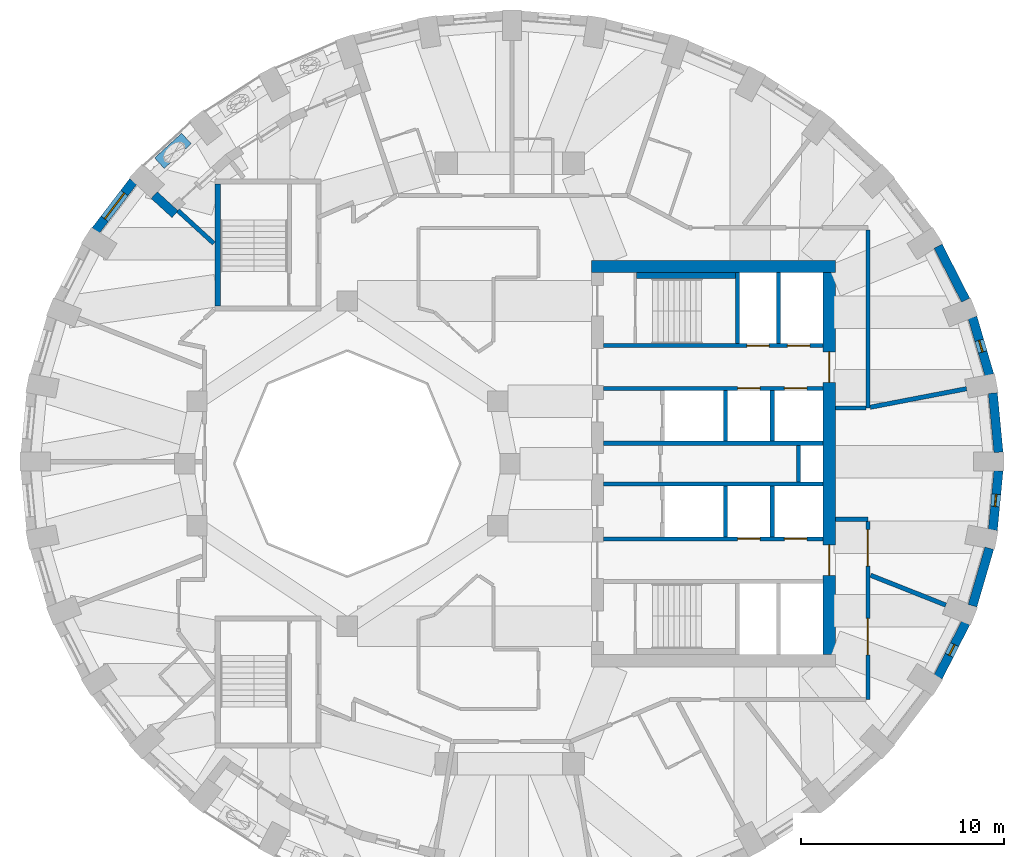
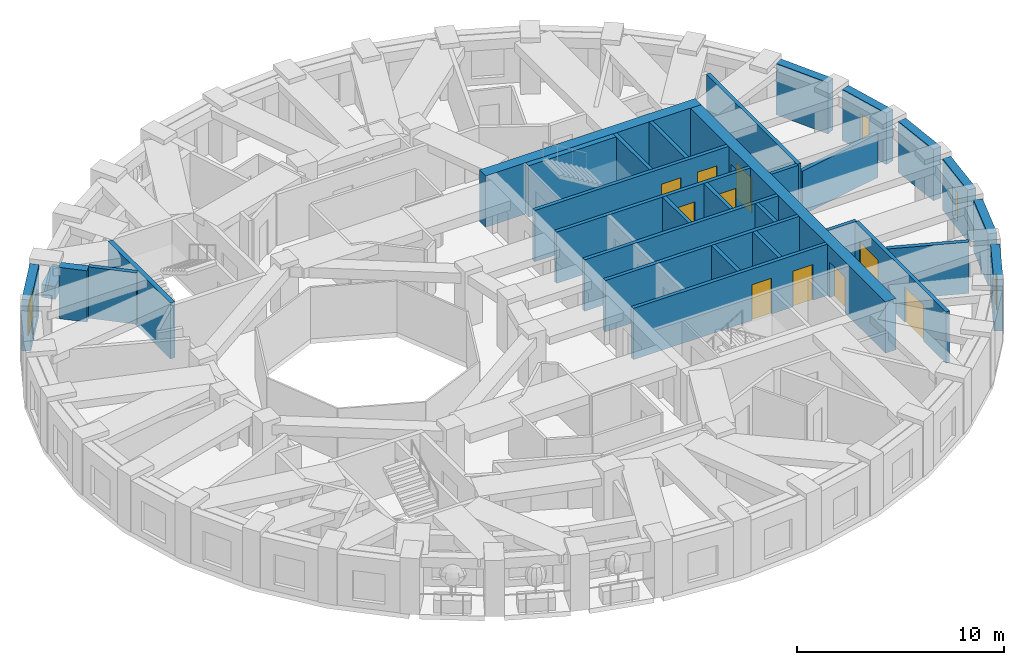
# One storey, part 6 of 12: 32 walls, 10 doors, 4 windows, 14 openings.
"""IFC4 building model written with IfcOpenShell, lengths in metres."""

from ifc_helpers import new_model, si_unit, direction, frame, frame_2d, origin, place, context, subcontext, project, spatial, rectangle, extrude, material, layer, layer_set, constituent, constituent_set, type_object, element, fill, save


model = new_model("IFC4")

# Units and contexts
model_context = context("Model", 3, precision=1e-05, world=origin(), true_north=direction((0.0, 1.0)))
body_context = subcontext(model_context, "Body", "Model", "MODEL_VIEW")
ifc_project = project(units=[si_unit("LENGTHUNIT", "METRE"), si_unit("AREAUNIT", "SQUARE_METRE"), si_unit("VOLUMEUNIT", "CUBIC_METRE"), si_unit("PLANEANGLEUNIT", "RADIAN"), si_unit("MASSUNIT", "GRAM", prefix="KILO")], contexts=[model_context])

# Site, building, storey
site_placement = place(None, origin())
site = spatial("IfcSite", under=ifc_project, at=site_placement, CompositionType="ELEMENT")
building_placement = place(site_placement, origin())
building = spatial("IfcBuilding", under=site, at=building_placement, Name="Taillehof Tower", CompositionType="ELEMENT")
storey_placement = place(building_placement, frame((0.0, 0.0, 168.199951171875)))
storey = spatial("IfcBuildingStorey", under=building, at=storey_placement, Name="L47", CompositionType="ELEMENT", Elevation=168.199951171875)

# Wall
ifc_material_1 = material(Name="Brick masonry", Category="masonry")
ifc_layer_1 = layer(ifc_material_1, 0.449951171875)
ifc_layer_set_1 = layer_set([ifc_layer_1], Name="Brick infill wall 450")
wall_type_1 = type_object("IfcWallType", Name="Brick infill wall 450", PredefinedType="SOLIDWALL", material=ifc_layer_set_1)
wall_1_placement = place(storey_placement, frame((24.030517578125, 0.55517578125, 0.0), z_axis=(0.0, 0.0, 1.0), x_axis=(-0.095265737322, 0.995451876935, 0.0)))
element("IfcWall", 1, at=wall_1_placement, inside=storey, type_object=wall_type_1, Name="Brick wall L47 bay 1", PredefinedType="SOLIDWALL", context=body_context, shape_type="SweptSolid", body=[
    extrude(rectangle(XDim=2.9267578125, YDim=0.449951171875, at=frame_2d((1.46337890625, 0.0))), origin(), (0.0, 0.0, 1.0), 3.02001953125),
])

# Wall, opening, window
wall_2_placement = place(storey_placement, frame((23.579833984375, 4.3623046875, 0.0), z_axis=(0.0, 0.0, 1.0), x_axis=(-0.281049481624, 0.959693278542, 0.0)))
wall_2 = element("IfcWall", 2, at=wall_2_placement, inside=storey, type_object=wall_type_1, Name="Brick wall L47 bay 2", PredefinedType="SOLIDWALL", context=body_context, shape_type="SweptSolid", body=[
    extrude(rectangle(XDim=2.947509765625, YDim=0.449951171875, at=frame_2d((1.4736328125, 0.0))), origin(), (0.0, 0.0, 1.0), 3.02001953125),
])
opening_1_placement = place(wall_2_placement, frame((1.173583984375, 0.0, 0.39990234375)))
opening_1 = element("IfcOpeningElement", 3, at=opening_1_placement, cuts=wall_2, Name="Opening W6", PredefinedType="OPENING", context=body_context, shape_type="SweptSolid", body=[
    extrude(rectangle(XDim=0.60009765625, YDim=1.75, at=frame_2d((0.300048828125, 0.875))), frame((0.0, 0.23486328125, 0.0), z_axis=(0.0, -1.0, 0.0), x_axis=(1.0, 0.0, 0.0)), (0.0, 0.0, 1.0), 0.469970703125),
])
ifc_material_2 = material(Name="Aluminium window frame with clear double glazing", Category="aluminium")
window_type_1 = type_object("IfcWindowType", Name="Slot window 600x1750", PartitioningType="SINGLE_PANEL", PredefinedType="WINDOW", material=ifc_material_2)
window_1_placement = place(opening_1_placement, origin())
window_1 = element("IfcWindow", 4, at=window_1_placement, inside=storey, type_object=window_type_1, Name="W6", OverallHeight=1.75, OverallWidth=0.60009765625, PartitioningType="SINGLE_PANEL", PredefinedType="WINDOW", context=body_context, shape_type="SweptSolid", body=[
    extrude(rectangle(XDim=0.60009765625, YDim=1.75, at=frame_2d((0.300048828125, 0.875))), frame((0.0, 0.034912109375, 0.0), z_axis=(0.0, -1.0, 0.0), x_axis=(1.0, 0.0, 0.0)), (0.0, 0.0, 1.0), 0.06005859375),
])
fill(opening_1, window_1)

# Wall
wall_3_placement = place(storey_placement, frame((22.415283203125, 8.036865234375, 0.0), z_axis=(0.0, 0.0, 1.0), x_axis=(-0.454133999889, 0.890933392653, 0.0)))
element("IfcWall", 5, at=wall_3_placement, inside=storey, type_object=wall_type_1, Name="Brick wall L47 bay 3", PredefinedType="SOLIDWALL", context=body_context, shape_type="SweptSolid", body=[
    extrude(rectangle(XDim=2.98583984375, YDim=0.449951171875, at=frame_2d((1.492919921875, 0.0))), origin(), (0.0, 0.0, 1.0), 3.02001953125),
])

# Wall, opening, window
wall_4_placement = place(storey_placement, frame((-18.528076171875, 13.878662109375, 0.0), z_axis=(0.0, 0.0, 1.0), x_axis=(-0.607817056371, -0.794077090706, 0.0)))
wall_4 = element("IfcWall", 6, at=wall_4_placement, inside=storey, type_object=wall_type_1, Name="Brick wall L47 bay 15", PredefinedType="SOLIDWALL", context=body_context, shape_type="SweptSolid", body=[
    extrude(rectangle(XDim=3.037109375, YDim=0.449951171875, at=frame_2d((1.5185546875, 0.0))), origin(), (0.0, 0.0, 1.0), 3.02001953125),
])
opening_2_placement = place(wall_4_placement, frame((0.718505859375, 0.0, 0.39990234375)))
opening_2 = element("IfcOpeningElement", 7, at=opening_2_placement, cuts=wall_4, Name="Opening W3", PredefinedType="OPENING", context=body_context, shape_type="SweptSolid", body=[
    extrude(rectangle(XDim=1.60009765625, YDim=1.75, at=frame_2d((0.800048828125, 0.875))), frame((0.0, 0.23486328125, 0.0), z_axis=(0.0, -1.0, 0.0), x_axis=(1.0, 0.0, 0.0)), (0.0, 0.0, 1.0), 0.469970703125),
])
ifc_material_3 = material(Name="Aluminium window frame with clear double glazing", Category="aluminium")
window_type_2 = type_object("IfcWindowType", Name="Deep-set window 1600x1750", PartitioningType="SINGLE_PANEL", PredefinedType="WINDOW", material=ifc_material_3)
window_2_placement = place(opening_2_placement, origin())
window_2 = element("IfcWindow", 8, at=window_2_placement, inside=storey, type_object=window_type_2, Name="W3", OverallHeight=1.75, OverallWidth=1.60009765625, PartitioningType="SINGLE_PANEL", PredefinedType="WINDOW", context=body_context, shape_type="SweptSolid", body=[
    extrude(rectangle(XDim=1.60009765625, YDim=1.75, at=frame_2d((0.800048828125, 0.875))), frame((0.0, 0.034912109375, 0.0), z_axis=(0.0, -1.0, 0.0), x_axis=(1.0, 0.0, 0.0)), (0.0, 0.0, 1.0), 0.06005859375),
])
fill(opening_2, window_2)

wall_5_placement = place(storey_placement, frame((21.059326171875, -10.4970703125, 0.0), z_axis=(0.0, 0.0, 1.0), x_axis=(0.454133999889, 0.890933392653, 0.0)))
wall_5 = element("IfcWall", 9, at=wall_5_placement, inside=storey, type_object=wall_type_1, Name="Brick wall L47 bay 34", PredefinedType="SOLIDWALL", context=body_context, shape_type="SweptSolid", body=[
    extrude(rectangle(XDim=2.98583984375, YDim=0.449951171875, at=frame_2d((1.492919921875, 0.0))), origin(), (0.0, 0.0, 1.0), 3.02001953125),
])
opening_3_placement = place(wall_5_placement, frame((1.19287109375, 0.0, 0.39990234375)))
opening_3 = element("IfcOpeningElement", 10, at=opening_3_placement, cuts=wall_5, Name="Opening W6", PredefinedType="OPENING", context=body_context, shape_type="SweptSolid", body=[
    extrude(rectangle(XDim=0.60009765625, YDim=1.75, at=frame_2d((0.300048828125, 0.875))), frame((0.0, 0.23486328125, 0.0), z_axis=(0.0, -1.0, 0.0), x_axis=(1.0, 0.0, 0.0)), (0.0, 0.0, 1.0), 0.469970703125),
])
window_3_placement = place(opening_3_placement, origin())
window_3 = element("IfcWindow", 11, at=window_3_placement, inside=storey, type_object=window_type_1, Name="W6", OverallHeight=1.75, OverallWidth=0.60009765625, PartitioningType="SINGLE_PANEL", PredefinedType="WINDOW", context=body_context, shape_type="SweptSolid", body=[
    extrude(rectangle(XDim=0.60009765625, YDim=1.75, at=frame_2d((0.300048828125, 0.875))), frame((0.0, 0.034912109375, 0.0), z_axis=(0.0, -1.0, 0.0), x_axis=(1.0, 0.0, 0.0)), (0.0, 0.0, 1.0), 0.06005859375),
])
fill(opening_3, window_3)

# Wall
wall_6_placement = place(storey_placement, frame((22.75146484375, -6.990966796875, 0.0), z_axis=(0.0, 0.0, 1.0), x_axis=(0.281049481624, 0.959693278542, 0.0)))
element("IfcWall", 12, at=wall_6_placement, inside=storey, type_object=wall_type_1, Name="Brick wall L47 bay 35", PredefinedType="SOLIDWALL", context=body_context, shape_type="SweptSolid", body=[
    extrude(rectangle(XDim=2.947509765625, YDim=0.449951171875, at=frame_2d((1.4736328125, 0.0))), origin(), (0.0, 0.0, 1.0), 3.02001953125),
])

# Wall, opening, window
wall_7_placement = place(storey_placement, frame((23.751708984375, -3.2685546875, 0.0), z_axis=(0.0, 0.0, 1.0), x_axis=(0.095257827044, 0.995452633924, 0.0)))
wall_7 = element("IfcWall", 13, at=wall_7_placement, inside=storey, type_object=wall_type_1, Name="Brick wall L47 bay 36", PredefinedType="SOLIDWALL", context=body_context, shape_type="SweptSolid", body=[
    extrude(rectangle(XDim=2.927001953125, YDim=0.449951171875, at=frame_2d((1.46337890625, 0.0))), origin(), (0.0, 0.0, 1.0), 3.02001953125),
])
opening_4_placement = place(wall_7_placement, frame((1.163330078125, 0.0, 0.39990234375)))
opening_4 = element("IfcOpeningElement", 14, at=opening_4_placement, cuts=wall_7, Name="Opening W6", PredefinedType="OPENING", context=body_context, shape_type="SweptSolid", body=[
    extrude(rectangle(XDim=0.60009765625, YDim=1.75, at=frame_2d((0.300048828125, 0.875))), frame((0.0, 0.23486328125, 0.0), z_axis=(0.0, -1.0, 0.0), x_axis=(1.0, 0.0, 0.0)), (0.0, 0.0, 1.0), 0.469970703125),
])
window_4_placement = place(opening_4_placement, origin())
window_4 = element("IfcWindow", 15, at=window_4_placement, inside=storey, type_object=window_type_1, Name="W6", OverallHeight=1.75, OverallWidth=0.60009765625, PartitioningType="SINGLE_PANEL", PredefinedType="WINDOW", context=body_context, shape_type="SweptSolid", body=[
    extrude(rectangle(XDim=0.60009765625, YDim=1.75, at=frame_2d((0.300048828125, 0.875))), frame((0.0, 0.034912109375, 0.0), z_axis=(0.0, -1.0, 0.0), x_axis=(1.0, 0.0, 0.0)), (0.0, 0.0, 1.0), 0.06005859375),
])
fill(opening_4, window_4)

# Walls
wall_8_placement = place(storey_placement, frame((-17.49853515625, 13.205322265625, 0.0), z_axis=(0.0, 0.0, 1.0), x_axis=(0.737918885826, -0.674889411638, 0.0)))
element("IfcWall", 16, at=wall_8_placement, inside=storey, type_object=wall_type_1, Name="Brick reveal L47 pocket 3", PredefinedType="SOLIDWALL", context=body_context, shape_type="SweptSolid", body=[
    extrude(rectangle(XDim=1.390625, YDim=0.449951171875, at=frame_2d((0.6953125, 0.0))), origin(), (0.0, 0.0, 1.0), 3.02001953125),
])
ifc_material_4 = material(Name="Calcium silicate masonry", Category="masonry")
ifc_layer_2 = layer(ifc_material_4, 0.199951171875)
ifc_layer_set_2 = layer_set([ifc_layer_2], Name="Compartment wall calcium silicate 200")
wall_type_2 = type_object("IfcWallType", Name="Compartment wall calcium silicate 200", PredefinedType="PARTITIONING", material=ifc_layer_set_2)
wall_9_placement = place(storey_placement, frame((14.199951171875, -0.89990234375, 0.0), z_axis=(0.0, 0.0, 1.0), x_axis=(0.0, 1.0, 0.0)))
element("IfcWall", 17, at=wall_9_placement, inside=storey, type_object=wall_type_2, Name="Compartment wall FW", PredefinedType="PARTITIONING", context=body_context, shape_type="SweptSolid", body=[
    extrude(rectangle(XDim=1.7998046875, YDim=0.199951171875, at=frame_2d((0.89990234375, 0.0))), origin(), (0.0, 0.0, 1.0), 3.02001953125),
])
ifc_material_5 = material(Name="Gypsum board on steel studs, two layers each side", Category="steel")
ifc_layer_3 = layer(ifc_material_5, 0.199951171875)
ifc_layer_set_3 = layer_set([ifc_layer_3], Name="Compartment wall corridor 200")
wall_type_3 = type_object("IfcWallType", Name="Compartment wall corridor 200", PredefinedType="PARTITIONING", material=ifc_layer_set_3)
wall_10_placement = place(storey_placement, frame((17.60009765625, 11.5, 0.0), z_axis=(0.0, 0.0, 1.0), x_axis=(0.0, -1.0, 0.0)))
element("IfcWall", 18, at=wall_10_placement, inside=storey, type_object=wall_type_3, Name="Compartment wall", PredefinedType="PARTITIONING", context=body_context, shape_type="SweptSolid", body=[
    extrude(rectangle(XDim=8.76220703125, YDim=0.199951171875, at=frame_2d((4.381103515625, 0.0))), origin(), (0.0, 0.0, 1.0), 3.02001953125),
])
wall_11_placement = place(storey_placement, frame((17.5, 2.73779296875, 0.0), z_axis=(0.0, 0.0, 1.0), x_axis=(-1.0, 0.0, 0.0)))
element("IfcWall", 19, at=wall_11_placement, inside=storey, type_object=wall_type_3, Name="Compartment wall", PredefinedType="PARTITIONING", context=body_context, shape_type="SweptSolid", body=[
    extrude(rectangle(XDim=1.49609375, YDim=0.199951171875, at=frame_2d((0.748046875, 0.0))), origin(), (0.0, 0.0, 1.0), 3.02001953125),
])
wall_12_placement = place(storey_placement, frame((16.00390625, -2.73779296875, 0.0), z_axis=(0.0, 0.0, 1.0), x_axis=(1.0, 0.0, 0.0)))
element("IfcWall", 20, at=wall_12_placement, inside=storey, type_object=wall_type_3, Name="Compartment wall", PredefinedType="PARTITIONING", context=body_context, shape_type="SweptSolid", body=[
    extrude(rectangle(XDim=1.59619140625, YDim=0.199951171875, at=frame_2d((0.798095703125, 0.0))), origin(), (0.0, 0.0, 1.0), 3.02001953125),
])

# Wall, openings, doors
wall_13_placement = place(storey_placement, frame((17.60009765625, -2.837890625, 0.0), z_axis=(0.0, 0.0, 1.0), x_axis=(0.0, -1.0, 0.0)))
wall_13 = element("IfcWall", 21, at=wall_13_placement, inside=storey, type_object=wall_type_3, Name="Compartment wall", PredefinedType="PARTITIONING", context=body_context, shape_type="SweptSolid", body=[
    extrude(rectangle(XDim=8.76220703125, YDim=0.199951171875, at=frame_2d((4.381103515625, 0.0))), origin(), (0.0, 0.0, 1.0), 3.02001953125),
])
opening_5_placement = place(wall_13_placement, frame((4.775146484375, 0.0, 0.0)))
opening_5 = element("IfcOpeningElement", 22, at=opening_5_placement, cuts=wall_13, Name="Opening D4757", PredefinedType="OPENING", context=body_context, shape_type="SweptSolid", body=[
    extrude(rectangle(XDim=1.800048828125, YDim=2.10009765625, at=frame_2d((0.89990234375, 1.050048828125))), frame((0.0, 0.10986328125, 0.0), z_axis=(0.0, -1.0, 0.0), x_axis=(1.0, 0.0, 0.0)), (0.0, 0.0, 1.0), 0.219970703125),
])
opening_6_placement = place(wall_13_placement, frame((0.40478515625, 0.0, 0.0)))
opening_6 = element("IfcOpeningElement", 23, at=opening_6_placement, cuts=wall_13, Name="Opening D4758", PredefinedType="OPENING", context=body_context, shape_type="SweptSolid", body=[
    extrude(rectangle(XDim=1.800048828125, YDim=2.10009765625, at=frame_2d((0.89990234375, 1.050048828125))), frame((0.0, 0.10986328125, 0.0), z_axis=(0.0, -1.0, 0.0), x_axis=(1.0, 0.0, 0.0)), (0.0, 0.0, 1.0), 0.219970703125),
])
ifc_material_6 = material(Name="Timber door leaf in steel frame", Category="steel")
door_type_1 = type_object("IfcDoorType", Name="Lounge and meeting room double door EI 30 1800 x 2100", OperationType="SINGLE_SWING_LEFT", PredefinedType="DOOR", material=ifc_material_6)
door_1_placement = place(opening_5_placement, origin())
door_1 = element("IfcDoor", 24, at=door_1_placement, inside=storey, type_object=door_type_1, Name="D4757", OperationType="DOUBLE_DOOR_SINGLE_SWING", OverallHeight=2.10009765625, OverallWidth=1.800048828125, PredefinedType="DOOR", context=body_context, shape_type="SweptSolid", body=[
    extrude(rectangle(XDim=1.800048828125, YDim=2.10009765625, at=frame_2d((0.89990234375, 1.050048828125))), frame((0.0, 0.02490234375, 0.0), z_axis=(0.0, -1.0, 0.0), x_axis=(1.0, 0.0, 0.0)), (0.0, 0.0, 1.0), 0.050048828125),
])
fill(opening_5, door_1)
door_2_placement = place(opening_6_placement, origin())
door_2 = element("IfcDoor", 25, at=door_2_placement, inside=storey, type_object=door_type_1, Name="D4758", OperationType="DOUBLE_DOOR_SINGLE_SWING", OverallHeight=2.10009765625, OverallWidth=1.800048828125, PredefinedType="DOOR", context=body_context, shape_type="SweptSolid", body=[
    extrude(rectangle(XDim=1.800048828125, YDim=2.10009765625, at=frame_2d((0.89990234375, 1.050048828125))), frame((0.0, 0.02490234375, 0.0), z_axis=(0.0, -1.0, 0.0), x_axis=(1.0, 0.0, 0.0)), (0.0, 0.0, 1.0), 0.050048828125),
])
fill(opening_6, door_2)

# Walls
ifc_material_7 = material(Name="Gypsum board on double steel studs with mineral wool", Category="steel")
ifc_layer_4 = layer(ifc_material_7, 0.219970703125)
ifc_layer_set_4 = layer_set([ifc_layer_4], Name="Compartment wall guest room 220")
wall_type_4 = type_object("IfcWallType", Name="Compartment wall guest room 220", PredefinedType="PARTITIONING", material=ifc_layer_set_4)
wall_14_placement = place(storey_placement, frame((22.457275390625, 3.68310546875, 0.0), z_axis=(0.0, 0.0, 1.0), x_axis=(-0.982022686577, -0.188762928159, 0.0)))
element("IfcWall", 26, at=wall_14_placement, inside=storey, type_object=wall_type_4, Name="Compartment wall", PredefinedType="PARTITIONING", context=body_context, shape_type="SweptSolid", body=[
    extrude(rectangle(XDim=4.82421875, YDim=0.219970703125, at=frame_2d((2.412109375, 0.0))), origin(), (0.0, 0.0, 1.0), 2.570068359375),
])
wall_15_placement = place(storey_placement, frame((-16.333984375, 12.445068359375, 0.0), z_axis=(0.0, 0.0, 1.0), x_axis=(0.737857346278, -0.674956692347, 0.0)))
element("IfcWall", 27, at=wall_15_placement, inside=storey, type_object=wall_type_4, Name="Compartment wall", PredefinedType="PARTITIONING", context=body_context, shape_type="SweptSolid", body=[
    extrude(rectangle(XDim=2.390869140625, YDim=0.219970703125, at=frame_2d((1.1953125, 0.0))), origin(), (0.0, 0.0, 1.0), 3.02001953125),
])
wall_16_placement = place(storey_placement, frame((21.438720703125, -6.959716796875, 0.0), z_axis=(0.0, 0.0, 1.0), x_axis=(-0.929517399972, 0.368778257426, 0.0)))
element("IfcWall", 28, at=wall_16_placement, inside=storey, type_object=wall_type_4, Name="Compartment wall", PredefinedType="PARTITIONING", context=body_context, shape_type="SweptSolid", body=[
    extrude(rectangle(XDim=3.982177734375, YDim=0.219970703125, at=frame_2d((1.9912109375, 0.0))), origin(), (0.0, 0.0, 1.0), 3.02001953125),
])
ifc_material_8 = material(Name="Calcium silicate masonry", Category="masonry")
ifc_layer_5 = layer(ifc_material_8, 0.300048828125)
ifc_layer_set_5 = layer_set([ifc_layer_5], Name="Compartment wall lining calcium silicate 300")
wall_type_5 = type_object("IfcWallType", Name="Compartment wall lining calcium silicate 300", PredefinedType="PARTITIONING", material=ifc_layer_set_5)
wall_17_placement = place(storey_placement, frame((6.219970703125, 9.25, 0.0), z_axis=(0.0, 0.0, 1.0), x_axis=(1.0, 0.0, 0.0)))
element("IfcWall", 29, at=wall_17_placement, inside=storey, type_object=wall_type_5, Name="Compartment wall FW", PredefinedType="PARTITIONING", context=body_context, shape_type="SweptSolid", body=[
    extrude(rectangle(XDim=4.880126953125, YDim=0.300048828125, at=frame_2d((2.43994140625, 0.0))), origin(), (0.0, 0.0, 1.0), 3.02001953125),
])

# Wall, openings, doors
ifc_material_9 = material(Name="Concrete C80/95", Category="concrete")
ifc_layer_6 = layer(ifc_material_9, 0.60009765625)
ifc_layer_set_6 = layer_set([ifc_layer_6], Name="Core wall C80/95 600")
wall_type_6 = type_object("IfcWallType", Name="Core wall C80/95 600", PredefinedType="SHEAR", material=ifc_layer_set_6)
wall_18_placement = place(storey_placement, frame((15.699951171875, -9.39990234375, 0.0), z_axis=(0.0, 0.0, 1.0), x_axis=(0.0, 1.0, 0.0)))
wall_18 = element("IfcWall", 30, at=wall_18_placement, inside=storey, type_object=wall_type_6, Name="Core wall CW05", PredefinedType="SHEAR", context=body_context, shape_type="SweptSolid", body=[
    extrude(rectangle(XDim=18.7998046875, YDim=0.60009765625, at=frame_2d((9.39990234375, 0.0))), origin(), (0.0, 0.0, 1.0), 3.02001953125),
])
opening_7_placement = place(wall_18_placement, frame((13.39990234375, 0.0, 0.0)))
opening_7 = element("IfcOpeningElement", 31, at=opening_7_placement, cuts=wall_18, Name="Opening D4708", PredefinedType="OPENING", context=body_context, shape_type="SweptSolid", body=[
    extrude(rectangle(XDim=1.5, YDim=2.10009765625, at=frame_2d((0.75, 1.050048828125))), frame((0.0, 0.31005859375, 0.0), z_axis=(0.0, -1.0, 0.0), x_axis=(1.0, 0.0, 0.0)), (0.0, 0.0, 1.0), 0.6201171875),
])
opening_8_placement = place(wall_18_placement, frame((3.89990234375, 0.0, 0.0)))
opening_8 = element("IfcOpeningElement", 32, at=opening_8_placement, cuts=wall_18, Name="Opening D4709", PredefinedType="OPENING", context=body_context, shape_type="SweptSolid", body=[
    extrude(rectangle(XDim=1.5, YDim=2.10009765625, at=frame_2d((0.75, 1.050048828125))), frame((0.0, 0.31005859375, 0.0), z_axis=(0.0, -1.0, 0.0), x_axis=(1.0, 0.0, 0.0)), (0.0, 0.0, 1.0), 0.6201171875),
])
ifc_material_10 = material(Name="Steel-faced fire door", Category="steel")
door_type_2 = type_object("IfcDoorType", Name="Lift lobby east door 1500x2100", OperationType="DOUBLE_DOOR_SINGLE_SWING", PredefinedType="DOOR", material=ifc_material_10)
door_3_placement = place(opening_7_placement, origin())
door_3 = element("IfcDoor", 33, at=door_3_placement, inside=storey, type_object=door_type_2, Name="Lift lobby east door north", OperationType="DOUBLE_DOOR_SINGLE_SWING", OverallHeight=2.10009765625, OverallWidth=1.5, PredefinedType="DOOR", context=body_context, shape_type="SweptSolid", body=[
    extrude(rectangle(XDim=1.5, YDim=2.10009765625, at=frame_2d((0.75, 1.050048828125))), frame((0.0, 0.02490234375, 0.0), z_axis=(0.0, -1.0, 0.0), x_axis=(1.0, 0.0, 0.0)), (0.0, 0.0, 1.0), 0.050048828125),
])
fill(opening_7, door_3)
door_4_placement = place(opening_8_placement, origin())
door_4 = element("IfcDoor", 34, at=door_4_placement, inside=storey, type_object=door_type_2, Name="Lift lobby east door south", OperationType="DOUBLE_DOOR_SINGLE_SWING", OverallHeight=2.10009765625, OverallWidth=1.5, PredefinedType="DOOR", context=body_context, shape_type="SweptSolid", body=[
    extrude(rectangle(XDim=1.5, YDim=2.10009765625, at=frame_2d((0.75, 1.050048828125))), frame((0.0, 0.02490234375, 0.0), z_axis=(0.0, -1.0, 0.0), x_axis=(1.0, 0.0, 0.0)), (0.0, 0.0, 1.0), 0.050048828125),
])
fill(opening_8, door_4)

# Walls
wall_19_placement = place(storey_placement, frame((4.0, 9.699951171875, 0.0), z_axis=(0.0, 0.0, 1.0), x_axis=(1.0, 0.0, 0.0)))
element("IfcWall", 35, at=wall_19_placement, inside=storey, type_object=wall_type_6, Name="Core wall CW06", PredefinedType="SHEAR", context=body_context, shape_type="SweptSolid", body=[
    extrude(rectangle(XDim=12.0, YDim=0.60009765625, at=frame_2d((6.0, 0.0))), origin(), (0.0, 0.0, 1.0), 3.02001953125),
])
ifc_material_11 = material(Name="Concrete C30/37 precast", Category="concrete")
ifc_constituent_1 = constituent(ifc_material_11, Name="Structure", Category="concrete")
ifc_material_12 = material(Name="Insulated lining")
ifc_constituent_2 = constituent(ifc_material_12, Name="Lining")
ifc_constituent_set = constituent_set(constituents=[ifc_constituent_1, ifc_constituent_2], Name="Planter trough 700x750")
wall_type_7 = type_object("IfcWallType", Name="Planter trough 700x750", PredefinedType="USERDEFINED", material=ifc_constituent_set)
wall_20_placement = place(storey_placement, frame((-15.91552734375, 15.9912109375, 0.0), z_axis=(0.0, 0.0, 1.0), x_axis=(-0.737874397391, -0.674938051731, 0.0)))
element("IfcWall", 36, at=wall_20_placement, inside=storey, type_object=wall_type_7, Name="Planter L47 bay 14", ObjectType="PLANTER", PredefinedType="USERDEFINED", context=body_context, shape_type="SweptSolid", body=[
    extrude(rectangle(XDim=1.800048828125, YDim=0.699951171875, at=frame_2d((0.89990234375, 0.0))), origin(), (0.0, 0.0, 1.0), 0.75),
])

# Wall, openings, doors
ifc_material_13 = material(Name="Concrete C50/60", Category="concrete")
ifc_layer_7 = layer(ifc_material_13, 0.199951171875)
ifc_layer_set_7 = layer_set([ifc_layer_7], Name="Shaft wall C50/60 200")
wall_type_8 = type_object("IfcWallType", Name="Shaft wall C50/60 200", PredefinedType="SHEAR", material=ifc_layer_set_7)
wall_21_placement = place(storey_placement, frame((4.60009765625, 5.800048828125, 0.0), z_axis=(0.0, 0.0, 1.0), x_axis=(1.0, 0.0, 0.0)))
wall_21 = element("IfcWall", 37, at=wall_21_placement, inside=storey, type_object=wall_type_8, Name="Shaft wall SW", PredefinedType="SHEAR", context=body_context, shape_type="SweptSolid", body=[
    extrude(rectangle(XDim=10.7998046875, YDim=0.199951171875, at=frame_2d((5.39990234375, 0.0))), origin(), (0.0, 0.0, 1.0), 3.02001953125),
])
opening_9_placement = place(wall_21_placement, frame((7.050048828125, 0.0, 0.0)))
opening_9 = element("IfcOpeningElement", 38, at=opening_9_placement, cuts=wall_21, Name="Opening LD1", PredefinedType="OPENING", context=body_context, shape_type="SweptSolid", body=[
    extrude(rectangle(XDim=1.10009765625, YDim=2.10009765625, at=frame_2d((0.550048828125, 1.050048828125))), frame((0.0, 0.10986328125, 0.0), z_axis=(0.0, -1.0, 0.0), x_axis=(1.0, 0.0, 0.0)), (0.0, 0.0, 1.0), 0.219970703125),
])
opening_10_placement = place(wall_21_placement, frame((9.050048828125, 0.0, 0.0)))
opening_10 = element("IfcOpeningElement", 39, at=opening_10_placement, cuts=wall_21, Name="Opening LD1", PredefinedType="OPENING", context=body_context, shape_type="SweptSolid", body=[
    extrude(rectangle(XDim=1.10009765625, YDim=2.10009765625, at=frame_2d((0.550048828125, 1.050048828125))), frame((0.0, 0.10986328125, 0.0), z_axis=(0.0, -1.0, 0.0), x_axis=(1.0, 0.0, 0.0)), (0.0, 0.0, 1.0), 0.219970703125),
])
ifc_material_14 = material(Name="Stainless steel", Category="steel")
door_type_3 = type_object("IfcDoorType", Name="Lift landing door LD1 1100x2100", OperationType="DOUBLE_DOOR_SLIDING", PredefinedType="DOOR", material=ifc_material_14)
door_5_placement = place(opening_9_placement, origin())
door_5 = element("IfcDoor", 40, at=door_5_placement, inside=storey, type_object=door_type_3, Name="Landing door HR1", OperationType="DOUBLE_DOOR_SLIDING", OverallHeight=2.10009765625, OverallWidth=1.10009765625, PredefinedType="DOOR", context=body_context, shape_type="SweptSolid", body=[
    extrude(rectangle(XDim=1.10009765625, YDim=2.10009765625, at=frame_2d((0.550048828125, 1.050048828125))), frame((0.0, 0.02490234375, 0.0), z_axis=(0.0, -1.0, 0.0), x_axis=(1.0, 0.0, 0.0)), (0.0, 0.0, 1.0), 0.050048828125),
])
fill(opening_9, door_5)
door_6_placement = place(opening_10_placement, origin())
door_6 = element("IfcDoor", 41, at=door_6_placement, inside=storey, type_object=door_type_3, Name="Landing door HR2", OperationType="DOUBLE_DOOR_SLIDING", OverallHeight=2.10009765625, OverallWidth=1.10009765625, PredefinedType="DOOR", context=body_context, shape_type="SweptSolid", body=[
    extrude(rectangle(XDim=1.10009765625, YDim=2.10009765625, at=frame_2d((0.550048828125, 1.050048828125))), frame((0.0, 0.02490234375, 0.0), z_axis=(0.0, -1.0, 0.0), x_axis=(1.0, 0.0, 0.0)), (0.0, 0.0, 1.0), 0.050048828125),
])
fill(opening_10, door_6)

wall_22_placement = place(storey_placement, frame((4.60009765625, 3.699951171875, 0.0), z_axis=(0.0, 0.0, 1.0), x_axis=(1.0, 0.0, 0.0)))
wall_22 = element("IfcWall", 42, at=wall_22_placement, inside=storey, type_object=wall_type_8, Name="Shaft wall SW", PredefinedType="SHEAR", context=body_context, shape_type="SweptSolid", body=[
    extrude(rectangle(XDim=10.7998046875, YDim=0.199951171875, at=frame_2d((5.39990234375, 0.0))), origin(), (0.0, 0.0, 1.0), 3.02001953125),
])
opening_11_placement = place(wall_22_placement, frame((6.60009765625, 0.0, 0.0)))
opening_11 = element("IfcOpeningElement", 43, at=opening_11_placement, cuts=wall_22, Name="Opening LD1", PredefinedType="OPENING", context=body_context, shape_type="SweptSolid", body=[
    extrude(rectangle(XDim=1.10009765625, YDim=2.10009765625, at=frame_2d((0.550048828125, 1.050048828125))), frame((0.0, 0.10986328125, 0.0), z_axis=(0.0, -1.0, 0.0), x_axis=(1.0, 0.0, 0.0)), (0.0, 0.0, 1.0), 0.219970703125),
])
opening_12_placement = place(wall_22_placement, frame((8.89990234375, 0.0, 0.0)))
opening_12 = element("IfcOpeningElement", 44, at=opening_12_placement, cuts=wall_22, Name="Opening LD1", PredefinedType="OPENING", context=body_context, shape_type="SweptSolid", body=[
    extrude(rectangle(XDim=1.10009765625, YDim=2.10009765625, at=frame_2d((0.550048828125, 1.050048828125))), frame((0.0, 0.10986328125, 0.0), z_axis=(0.0, -1.0, 0.0), x_axis=(1.0, 0.0, 0.0)), (0.0, 0.0, 1.0), 0.219970703125),
])
door_7_placement = place(opening_11_placement, origin())
door_7 = element("IfcDoor", 45, at=door_7_placement, inside=storey, type_object=door_type_3, Name="Landing door HR3", OperationType="DOUBLE_DOOR_SLIDING", OverallHeight=2.10009765625, OverallWidth=1.10009765625, PredefinedType="DOOR", context=body_context, shape_type="SweptSolid", body=[
    extrude(rectangle(XDim=1.10009765625, YDim=2.10009765625, at=frame_2d((0.550048828125, 1.050048828125))), frame((0.0, 0.02490234375, 0.0), z_axis=(0.0, -1.0, 0.0), x_axis=(1.0, 0.0, 0.0)), (0.0, 0.0, 1.0), 0.050048828125),
])
fill(opening_11, door_7)
door_8_placement = place(opening_12_placement, origin())
door_8 = element("IfcDoor", 46, at=door_8_placement, inside=storey, type_object=door_type_3, Name="Landing door HR4", OperationType="DOUBLE_DOOR_SLIDING", OverallHeight=2.10009765625, OverallWidth=1.10009765625, PredefinedType="DOOR", context=body_context, shape_type="SweptSolid", body=[
    extrude(rectangle(XDim=1.10009765625, YDim=2.10009765625, at=frame_2d((0.550048828125, 1.050048828125))), frame((0.0, 0.02490234375, 0.0), z_axis=(0.0, -1.0, 0.0), x_axis=(1.0, 0.0, 0.0)), (0.0, 0.0, 1.0), 0.050048828125),
])
fill(opening_12, door_8)

# Walls
for number, where, z_axis, x_axis, name in (
    (47, (4.60009765625, 1.0, 0.0), (0.0, 0.0, 1.0), (1.0, 0.0, 0.0), "Shaft wall SW"),
    (48, (4.60009765625, -1.0, 0.0), (0.0, 0.0, 1.0), (1.0, 0.0, 0.0), "Shaft wall SW"),
):
    element("IfcWall", number, at=place(storey_placement, frame(where, z_axis=z_axis, x_axis=x_axis)), inside=storey, type_object=wall_type_8, Name=name, PredefinedType="SHEAR", context=body_context, shape_type="SweptSolid", body=[
        extrude(rectangle(XDim=10.7998046875, YDim=0.199951171875, at=frame_2d((5.39990234375, 0.0))), origin(), (0.0, 0.0, 1.0), 3.02001953125),
    ])

# Wall, openings, doors
wall_23_placement = place(storey_placement, frame((4.60009765625, -3.699951171875, 0.0), z_axis=(0.0, 0.0, 1.0), x_axis=(1.0, 0.0, 0.0)))
wall_23 = element("IfcWall", 49, at=wall_23_placement, inside=storey, type_object=wall_type_8, Name="Shaft wall SW", PredefinedType="SHEAR", context=body_context, shape_type="SweptSolid", body=[
    extrude(rectangle(XDim=10.7998046875, YDim=0.199951171875, at=frame_2d((5.39990234375, 0.0))), origin(), (0.0, 0.0, 1.0), 3.02001953125),
])
opening_13_placement = place(wall_23_placement, frame((6.60009765625, 0.0, 0.0)))
opening_13 = element("IfcOpeningElement", 50, at=opening_13_placement, cuts=wall_23, Name="Opening LD1", PredefinedType="OPENING", context=body_context, shape_type="SweptSolid", body=[
    extrude(rectangle(XDim=1.10009765625, YDim=2.10009765625, at=frame_2d((0.550048828125, 1.050048828125))), frame((0.0, 0.10986328125, 0.0), z_axis=(0.0, -1.0, 0.0), x_axis=(1.0, 0.0, 0.0)), (0.0, 0.0, 1.0), 0.219970703125),
])
opening_14_placement = place(wall_23_placement, frame((8.89990234375, 0.0, 0.0)))
opening_14 = element("IfcOpeningElement", 51, at=opening_14_placement, cuts=wall_23, Name="Opening LD1", PredefinedType="OPENING", context=body_context, shape_type="SweptSolid", body=[
    extrude(rectangle(XDim=1.10009765625, YDim=2.10009765625, at=frame_2d((0.550048828125, 1.050048828125))), frame((0.0, 0.10986328125, 0.0), z_axis=(0.0, -1.0, 0.0), x_axis=(1.0, 0.0, 0.0)), (0.0, 0.0, 1.0), 0.219970703125),
])
door_9_placement = place(opening_13_placement, origin())
door_9 = element("IfcDoor", 52, at=door_9_placement, inside=storey, type_object=door_type_3, Name="Landing door HR5", OperationType="DOUBLE_DOOR_SLIDING", OverallHeight=2.10009765625, OverallWidth=1.10009765625, PredefinedType="DOOR", context=body_context, shape_type="SweptSolid", body=[
    extrude(rectangle(XDim=1.10009765625, YDim=2.10009765625, at=frame_2d((0.550048828125, 1.050048828125))), frame((0.0, 0.02490234375, 0.0), z_axis=(0.0, -1.0, 0.0), x_axis=(1.0, 0.0, 0.0)), (0.0, 0.0, 1.0), 0.050048828125),
])
fill(opening_13, door_9)
door_10_placement = place(opening_14_placement, origin())
door_10 = element("IfcDoor", 53, at=door_10_placement, inside=storey, type_object=door_type_3, Name="Landing door HR6", OperationType="DOUBLE_DOOR_SLIDING", OverallHeight=2.10009765625, OverallWidth=1.10009765625, PredefinedType="DOOR", context=body_context, shape_type="SweptSolid", body=[
    extrude(rectangle(XDim=1.10009765625, YDim=2.10009765625, at=frame_2d((0.550048828125, 1.050048828125))), frame((0.0, 0.02490234375, 0.0), z_axis=(0.0, -1.0, 0.0), x_axis=(1.0, 0.0, 0.0)), (0.0, 0.0, 1.0), 0.050048828125),
])
fill(opening_14, door_10)

# Walls
for number, where, z_axis, x_axis, name in (
    (54, (11.199951171875, 5.89990234375, 0.0), (0.0, 0.0, 1.0), (0.0, 1.0, 0.0), "Shaft wall SW"),
    (55, (13.199951171875, 5.89990234375, 0.0), (0.0, 0.0, 1.0), (0.0, 1.0, 0.0), "Shaft wall SW"),
):
    element("IfcWall", number, at=place(storey_placement, frame(where, z_axis=z_axis, x_axis=x_axis)), inside=storey, type_object=wall_type_8, Name=name, PredefinedType="SHEAR", context=body_context, shape_type="SweptSolid", body=[
        extrude(rectangle(XDim=3.5, YDim=0.199951171875, at=frame_2d((1.75, 0.0))), origin(), (0.0, 0.0, 1.0), 3.02001953125),
    ])
for number, where, z_axis, x_axis, name in (
    (56, (10.60009765625, 1.10009765625, 0.0), (0.0, 0.0, 1.0), (0.0, 1.0, 0.0), "Shaft wall SW"),
    (57, (10.60009765625, -3.60009765625, 0.0), (0.0, 0.0, 1.0), (0.0, 1.0, 0.0), "Shaft wall SW"),
    (58, (12.89990234375, 1.10009765625, 0.0), (0.0, 0.0, 1.0), (0.0, 1.0, 0.0), "Shaft wall SW"),
    (59, (12.89990234375, -3.60009765625, 0.0), (0.0, 0.0, 1.0), (0.0, 1.0, 0.0), "Shaft wall SW"),
):
    element("IfcWall", number, at=place(storey_placement, frame(where, z_axis=z_axis, x_axis=x_axis)), inside=storey, type_object=wall_type_8, Name=name, PredefinedType="SHEAR", context=body_context, shape_type="SweptSolid", body=[
        extrude(rectangle(XDim=2.5, YDim=0.199951171875, at=frame_2d((1.25, 0.0))), origin(), (0.0, 0.0, 1.0), 3.02001953125),
    ])
ifc_material_15 = material(Name="Concrete C50/60", Category="concrete")
ifc_layer_8 = layer(ifc_material_15, 0.25)
ifc_layer_set_8 = layer_set([ifc_layer_8], Name="Stair wall C50/60 250")
wall_type_9 = type_object("IfcWallType", Name="Stair wall C50/60 250", PredefinedType="SHEAR", material=ifc_layer_set_8)
wall_24_placement = place(storey_placement, frame((-14.375, 7.75, -0.280029296875), z_axis=(0.0, 0.0, 1.0), x_axis=(0.0, 1.0, 0.0)))
element("IfcWall", 60, at=wall_24_placement, inside=storey, type_object=wall_type_9, Name="Stair wall SC", PredefinedType="SHEAR", context=body_context, shape_type="SweptSolid", body=[
    extrude(rectangle(XDim=6.0, YDim=0.25, at=frame_2d((3.0, 0.0))), origin(), (0.0, 0.0, 1.0), 3.300048828125),
])

save(model, "model.ifc")
